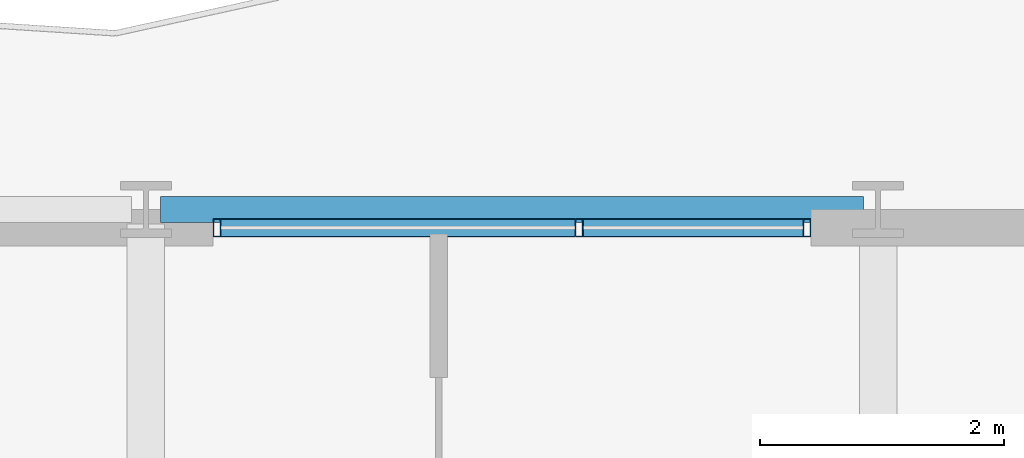
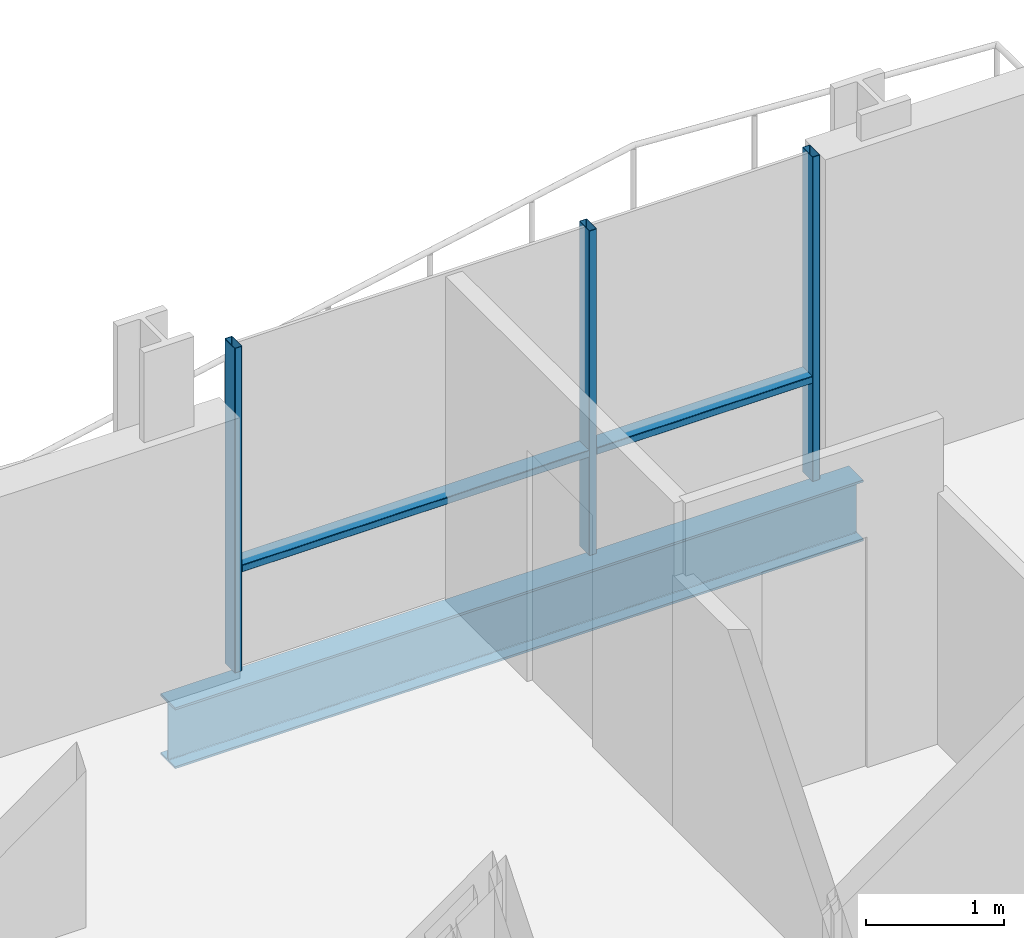
# One storey, part 24 of 41: 5 members, 1 beam, 1 element without a shape of its own.
"""IFC4 building model written with IfcOpenShell, lengths in metres."""

from ifc_helpers import new_model, si_unit, direction, frame, origin, origin_2d, place, context, subcontext, project, spatial, hollow_rectangle, i_section, extrude, material, layer, layer_set, material_profile, profile_set, type_object, element, aggregate, save


model = new_model("IFC4")

# Units and contexts
model_context = context("Model", 3, precision=1e-05, world=origin(), true_north=direction((0.0, 1.0)))
body_context = subcontext(model_context, "Body", "Model", "MODEL_VIEW")
ifc_project = project(units=[si_unit("LENGTHUNIT", "METRE"), si_unit("AREAUNIT", "SQUARE_METRE"), si_unit("VOLUMEUNIT", "CUBIC_METRE"), si_unit("PLANEANGLEUNIT", "RADIAN"), si_unit("MASSUNIT", "GRAM", prefix="KILO")], contexts=[model_context])

# Site, building, storey
site_placement = place(None, origin())
site = spatial("IfcSite", under=ifc_project, at=site_placement, CompositionType="ELEMENT")
building_placement = place(site_placement, origin())
building = spatial("IfcBuilding", under=site, at=building_placement, Name="Brevholm Reach", CompositionType="ELEMENT")
storey_placement = place(building_placement, frame((0.0, 0.0, 74.5)))
storey = spatial("IfcBuildingStorey", under=building, at=storey_placement, Name="L21", CompositionType="ELEMENT", Elevation=74.5)

# Beam
ifc_material_1 = material(Name="Structural Steel S355J2", Category="steel")
ifc_material_profile_1 = material_profile(ifc_material_1, i_section(OverallWidth=0.210693359375, OverallDepth=0.53955078125, WebThickness=0.01171875, FlangeThickness=0.018798828125, FilletRadius=0.0126953125, at=origin_2d()), Name="UKB 533x210x109")
ifc_profile_set_1 = profile_set([ifc_material_profile_1], Name="Structural Steel S355J2")
beam_type = type_object("IfcBeamType", Name="BM-SP539", PredefinedType="SPANDREL", material=ifc_profile_set_1)
beam_placement = place(storey_placement, frame((48.1201171875, 31.0, -0.499755859375), z_axis=(1.0, 0.0, 0.0), x_axis=(0.0, 1.0, 0.0)))
element("IfcBeam", 1, at=beam_placement, inside=storey, type_object=beam_type, Name="L21 SP-01B Framing Beam", PredefinedType="SPANDREL", context=body_context, shape_type="SweptSolid", body=[
    extrude(i_section(OverallWidth=0.210693359375, OverallDepth=0.53955078125, WebThickness=0.01171875, FlangeThickness=0.018798828125, FilletRadius=0.0126953125, at=origin_2d()), origin(), (0.0, 0.0, 1.0), 5.759765625),
])

# Curtain wall, members
ifc_material_2 = material(Name="Dark Anodised Aluminium 6063-T6 and Solar-Control Glass", Category="aluminium")
ifc_layer = layer(ifc_material_2, 0.14990234375)
ifc_layer_set = layer_set([ifc_layer], Name="Dark Anodised Aluminium 6063-T6 and Solar-Control Glass")
curtain_wall_type = type_object("IfcCurtainWallType", Name="CW-01", PredefinedType="NOTDEFINED", material=ifc_layer_set)
curtain_wall_placement = place(storey_placement, origin())
curtain_wall = element("IfcCurtainWall", 2, at=curtain_wall_placement, inside=storey, type_object=curtain_wall_type, Name="L21 Curtain Wall CW-01", PredefinedType="NOTDEFINED")
ifc_material_3 = material(Name="Dark Anodised Aluminium 6063-T6", Category="aluminium")
ifc_material_profile_2 = material_profile(ifc_material_3, hollow_rectangle(XDim=0.06494140625, YDim=0.14990234375, WallThickness=0.0048828125, InnerFilletRadius=0.0048828125, OuterFilletRadius=0.010009765625, at=origin_2d()), Name="RHS 150x65x5")
ifc_profile_set_2 = profile_set([ifc_material_profile_2], Name="Dark Anodised Aluminium 6063-T6")
member_type_1 = type_object("IfcMemberType", Name="CWM-150", PredefinedType="MULLION", material=ifc_profile_set_2)
member_1_placement = place(storey_placement, frame((48.58251953125, 30.85009765625, 0.0), z_axis=(0.0, 0.0, 1.0), x_axis=(1.0, 0.0, 0.0)))
member_1 = element("IfcMember", 3, at=member_1_placement, type_object=member_type_1, Name="CM-150 Mullion 1", PredefinedType="MULLION", context=body_context, shape_type="SweptSolid", body=[
    extrude(hollow_rectangle(XDim=0.06494140625, YDim=0.14990234375, WallThickness=0.0048828125, InnerFilletRadius=0.0048828125, OuterFilletRadius=0.010009765625, at=origin_2d()), origin(), (0.0, 0.0, 1.0), 2.8701171875),
])
member_2_placement = place(storey_placement, frame((51.550048828125, 30.85009765625, 0.0), z_axis=(0.0, 0.0, 1.0), x_axis=(1.0, 0.0, 0.0)))
member_2 = element("IfcMember", 4, at=member_2_placement, type_object=member_type_1, Name="CM-150 Mullion 2", PredefinedType="MULLION", context=body_context, shape_type="SweptSolid", body=[
    extrude(hollow_rectangle(XDim=0.06494140625, YDim=0.14990234375, WallThickness=0.0048828125, InnerFilletRadius=0.0048828125, OuterFilletRadius=0.010009765625, at=origin_2d()), origin(), (0.0, 0.0, 1.0), 2.8701171875),
])
member_3_placement = place(storey_placement, frame((53.41748046875, 30.85009765625, 0.0), z_axis=(0.0, 0.0, 1.0), x_axis=(1.0, 0.0, 0.0)))
member_3 = element("IfcMember", 5, at=member_3_placement, type_object=member_type_1, Name="CM-150 Mullion 3", PredefinedType="MULLION", context=body_context, shape_type="SweptSolid", body=[
    extrude(hollow_rectangle(XDim=0.06494140625, YDim=0.14990234375, WallThickness=0.0048828125, InnerFilletRadius=0.0048828125, OuterFilletRadius=0.010009765625, at=origin_2d()), origin(), (0.0, 0.0, 1.0), 2.8701171875),
])
ifc_material_4 = material(Name="Dark Anodised Aluminium 6063-T6", Category="aluminium")
ifc_material_profile_3 = material_profile(ifc_material_4, hollow_rectangle(XDim=0.06494140625, YDim=0.14990234375, WallThickness=0.0048828125, InnerFilletRadius=0.0048828125, OuterFilletRadius=0.010009765625, at=origin_2d()), Name="RHS 150x65x5")
ifc_profile_set_3 = profile_set([ifc_material_profile_3], Name="Dark Anodised Aluminium 6063-T6")
member_type_2 = type_object("IfcMemberType", Name="CWT-150", PredefinedType="NOTDEFINED", material=ifc_profile_set_3)
member_4_placement = place(storey_placement, frame((48.614990234375, 30.85009765625, 0.89990234375), z_axis=(1.0, 0.0, 0.0), x_axis=(0.0, 0.0, 1.0)))
member_4 = element("IfcMember", 6, at=member_4_placement, type_object=member_type_2, Name="CT-150 Transom 1.1", ObjectType="TRANSOM", PredefinedType="USERDEFINED", context=body_context, shape_type="SweptSolid", body=[
    extrude(hollow_rectangle(XDim=0.06494140625, YDim=0.14990234375, WallThickness=0.0048828125, InnerFilletRadius=0.0048828125, OuterFilletRadius=0.010009765625, at=origin_2d()), origin(), (0.0, 0.0, 1.0), 2.902587890625),
])
member_5_placement = place(storey_placement, frame((51.58251953125, 30.85009765625, 0.89990234375), z_axis=(1.0, 0.0, 0.0), x_axis=(0.0, 0.0, 1.0)))
member_5 = element("IfcMember", 7, at=member_5_placement, type_object=member_type_2, Name="CT-150 Transom 2.1", ObjectType="TRANSOM", PredefinedType="USERDEFINED", context=body_context, shape_type="SweptSolid", body=[
    extrude(hollow_rectangle(XDim=0.06494140625, YDim=0.14990234375, WallThickness=0.0048828125, InnerFilletRadius=0.0048828125, OuterFilletRadius=0.010009765625, at=origin_2d()), origin(), (0.0, 0.0, 1.0), 1.802490234375),
])
aggregate(curtain_wall, [member_1, member_2, member_3, member_4, member_5])

save(model, "model.ifc")
